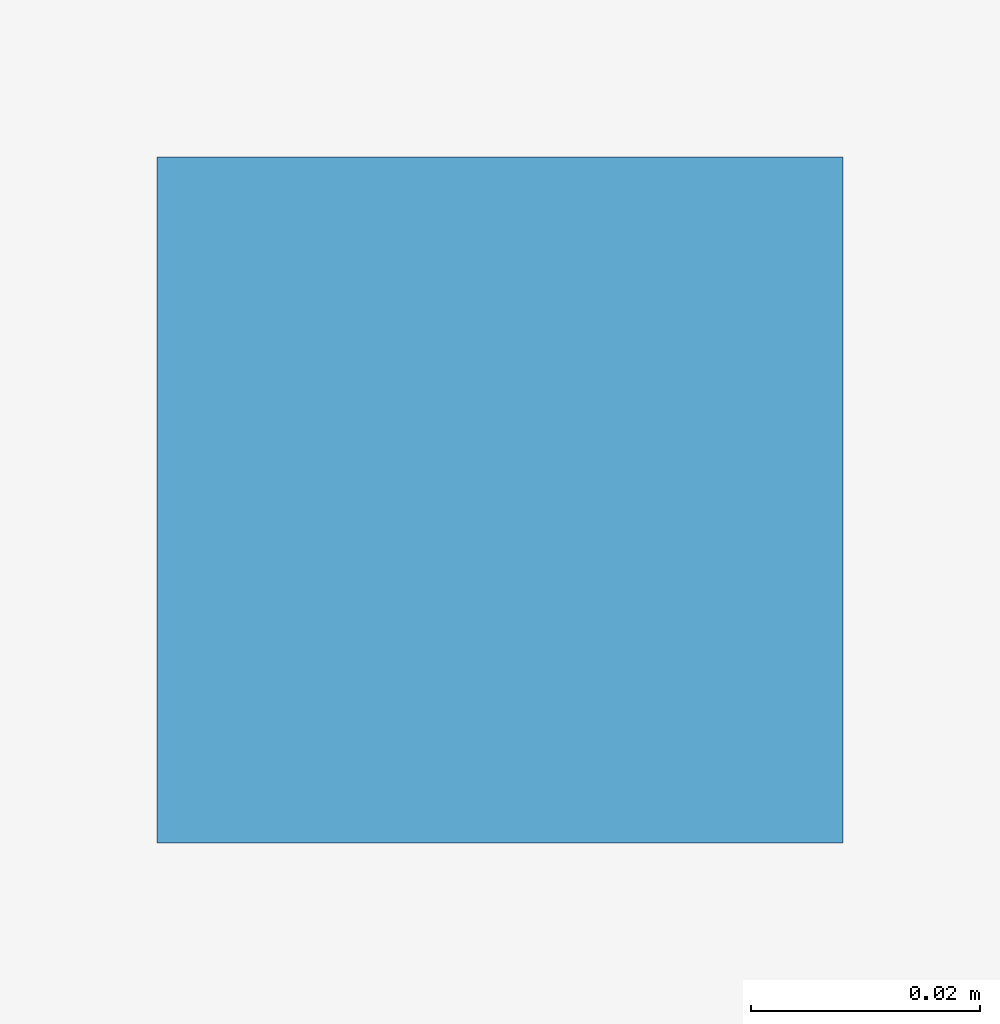
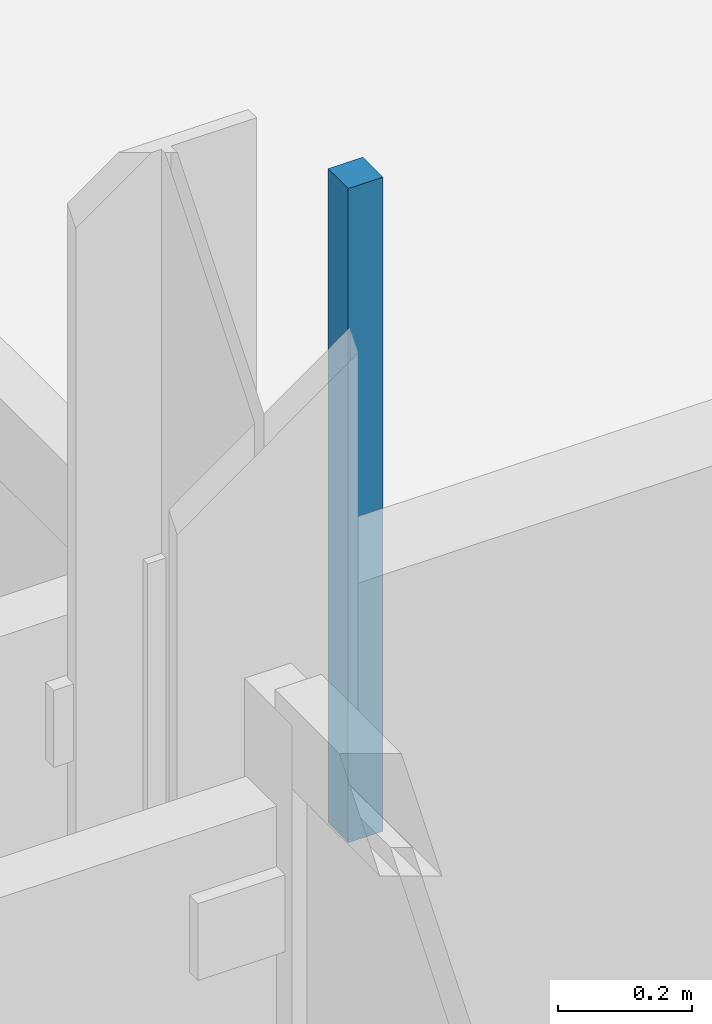
# One storey, part 80 of 107: 1 discrete accessory.
"""IFC4 building model written with IfcOpenShell, lengths in metres."""

from ifc_helpers import new_model, si_unit, direction, frame, origin, place, context, subcontext, project, spatial, polyline, outline, extrude, material, type_object, element, save


model = new_model("IFC4")

# Units and contexts
model_context = context("Model", 3, precision=1e-05, world=origin(), true_north=direction((0.0, 1.0)))
body_context = subcontext(model_context, "Body", "Model", "MODEL_VIEW")
ifc_project = project(units=[si_unit("LENGTHUNIT", "METRE"), si_unit("AREAUNIT", "SQUARE_METRE"), si_unit("VOLUMEUNIT", "CUBIC_METRE"), si_unit("PLANEANGLEUNIT", "RADIAN"), si_unit("MASSUNIT", "GRAM", prefix="KILO")], contexts=[model_context])

# Site, building, storey
site_placement = place(None, origin())
site = spatial("IfcSite", under=ifc_project, at=site_placement, CompositionType="ELEMENT")
building_placement = place(site_placement, origin())
building = spatial("IfcBuilding", under=site, at=building_placement, Name="Dunescarp Central Library", CompositionType="ELEMENT")
storey_placement = place(building_placement, frame((0.0, 0.0, 5.10009765625)))
storey = spatial("IfcBuildingStorey", under=building, at=storey_placement, Name="L01", CompositionType="ELEMENT", Elevation=5.10009765625)

# Discrete accessory
ifc_material = material(Name="Stainless steel Grade 316L", Category="steel")
discrete_accessory_type = type_object("IfcDiscreteAccessoryType", Name="ARC-ACC-BRK", PredefinedType="BRACKET", material=ifc_material)
discrete_accessory_placement = place(storey_placement, frame((0.0, 0.0, 3.059814453125)))
element("IfcDiscreteAccessory", 1, at=discrete_accessory_placement, inside=storey, type_object=discrete_accessory_type, Name="L01 ceiling hanger CLG-L01-128-H1", PredefinedType="BRACKET", context=body_context, shape_type="SweptSolid", body=[
    extrude(outline(polyline([(0.360107421875, 70.6201171875), (0.419921875, 70.6201171875), (0.419921875, 70.679931640625), (0.360107421875, 70.679931640625), (0.360107421875, 70.6201171875)])), origin(), (0.0, 0.0, 1.0), 1.190185546875),
])

save(model, "model.ifc")
